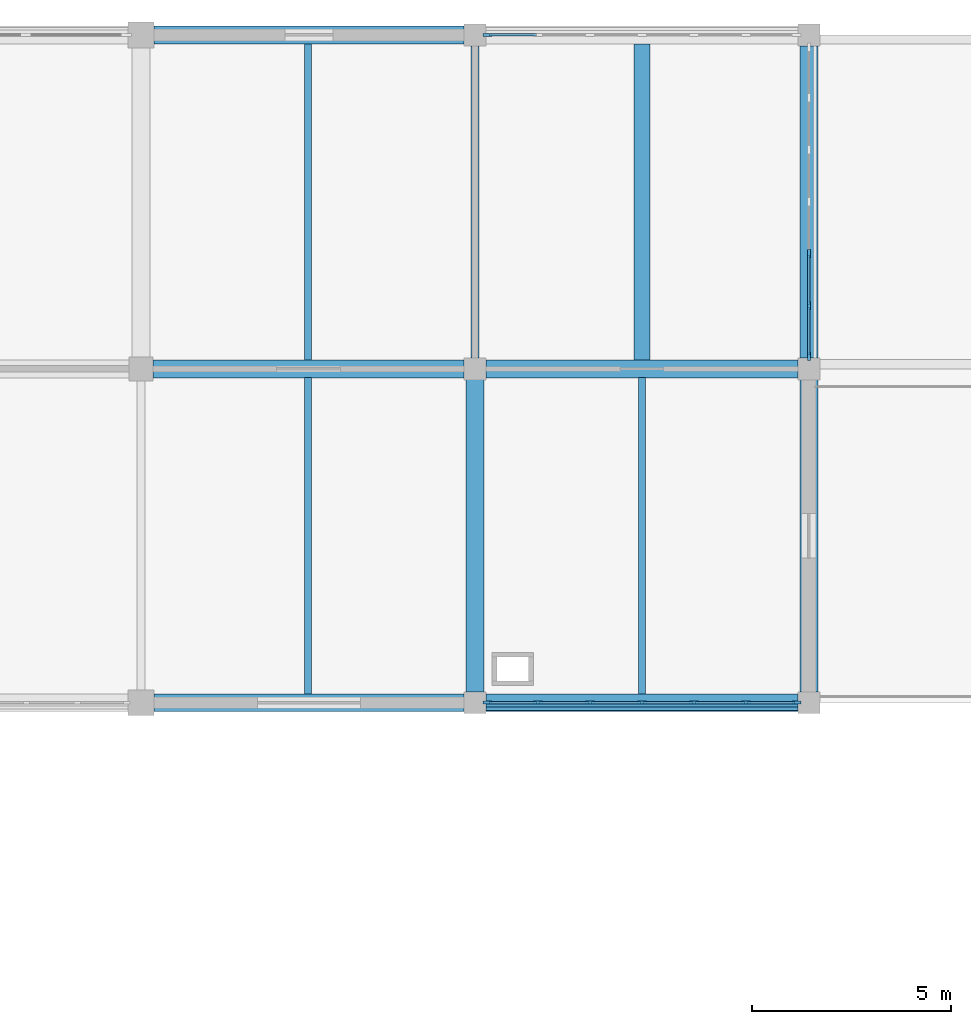
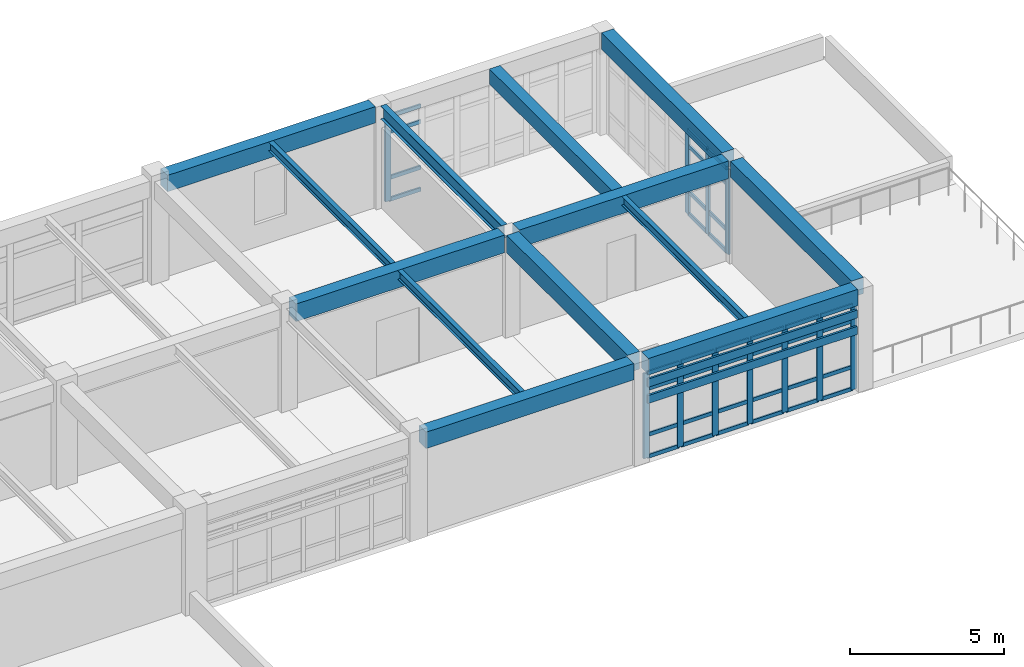
# One storey, part 45 of 74: 49 members, 13 beams, 3 elements without a shape of their own.
"""IFC4 building model written with IfcOpenShell, lengths in metres."""

from ifc_helpers import new_model, si_unit, direction, frame, origin, origin_2d, place, context, subcontext, project, spatial, rectangle, i_section, extrude, material, layer, layer_set, material_profile, profile_set, type_object, element, aggregate, save


model = new_model("IFC4")

# Units and contexts
model_context = context("Model", 3, precision=1e-05, world=origin(), true_north=direction((0.0, 1.0)))
body_context = subcontext(model_context, "Body", "Model", "MODEL_VIEW")
ifc_project = project(units=[si_unit("LENGTHUNIT", "METRE"), si_unit("AREAUNIT", "SQUARE_METRE"), si_unit("VOLUMEUNIT", "CUBIC_METRE"), si_unit("PLANEANGLEUNIT", "RADIAN"), si_unit("MASSUNIT", "GRAM", prefix="KILO")], contexts=[model_context])

# Site, building, storey
site_placement = place(None, origin())
site = spatial("IfcSite", under=ifc_project, at=site_placement, CompositionType="ELEMENT")
building_placement = place(site_placement, origin())
building = spatial("IfcBuilding", under=site, at=building_placement, Name="Porcellanite Civic Hall", CompositionType="ELEMENT")
storey_placement = place(building_placement, frame((0.0, 0.0, 14.760009765625)))
storey = spatial("IfcBuildingStorey", under=building, at=storey_placement, Name="L03", CompositionType="ELEMENT", Elevation=14.760009765625)

# Beams
ifc_material_1 = material(Name="Concrete N50 (50 MPa)", Category="concrete")
ifc_material_profile_1 = material_profile(ifc_material_1, rectangle(XDim=0.39990234375, YDim=0.60009765625, at=origin_2d()), Name="RC-400x600")
ifc_profile_set_1 = profile_set([ifc_material_profile_1], Name="Concrete N50 (50 MPa)")
beam_type_1 = type_object("IfcBeamType", Name="BM-RC600", PredefinedType="JOIST", material=ifc_profile_set_1)
beam_1_placement = place(storey_placement, frame((147.0, 109.424560546875, 3.77001953125), z_axis=(0.0, 1.0, 0.0), x_axis=(-1.0, 0.0, 0.0)))
element("IfcBeam", 1, at=beam_1_placement, inside=storey, type_object=beam_type_1, Name="Secondary joist L03 18-14", PredefinedType="JOIST", context=body_context, shape_type="SweptSolid", body=[
    extrude(rectangle(XDim=0.39990234375, YDim=0.60009765625, at=origin_2d()), origin(), (0.0, 0.0, 1.0), 7.950927734375),
])
ifc_material_2 = material(Name="Concrete N50 (50 MPa)", Category="concrete")
ifc_material_profile_2 = material_profile(ifc_material_2, rectangle(XDim=0.449951171875, YDim=0.64990234375, at=origin_2d()), Name="RC-450x650")
ifc_profile_set_2 = profile_set([ifc_material_profile_2], Name="Concrete N50 (50 MPa)")
beam_type_2 = type_object("IfcBeamType", Name="BM-RC650", PredefinedType="SPANDREL", material=ifc_profile_set_2)
for number, where, z_axis, x_axis, name in (
    (2, (134.724609375, 100.800048828125, 3.744873046875), (1.0, 0.0, 0.0), (0.0, 1.0, 0.0), "Beam X L03 17-13"),
    (3, (134.724609375, 117.60009765625, 3.744873046875), (1.0, 0.0, 0.0), (0.0, 1.0, 0.0), "Beam X L03 17-15"),
):
    element("IfcBeam", number, at=place(storey_placement, frame(where, z_axis=z_axis, x_axis=x_axis)), inside=storey, type_object=beam_type_2, Name=name, PredefinedType="SPANDREL", context=body_context, shape_type="SweptSolid", body=[
        extrude(rectangle(XDim=0.449951171875, YDim=0.64990234375, at=origin_2d()), origin(), (0.0, 0.0, 1.0), 7.80078125),
    ])
for number, where, z_axis, x_axis, name in (
    (4, (143.074462890625, 100.800048828125, 3.744873046875), (1.0, 0.0, 0.0), (0.0, 1.0, 0.0), "Beam X L03 18-13"),
    (5, (151.199951171875, 101.074462890625, 3.744873046875), (0.0, 1.0, 0.0), (-1.0, 0.0, 0.0), "Beam Y L03 19-13"),
):
    element("IfcBeam", number, at=place(storey_placement, frame(where, z_axis=z_axis, x_axis=x_axis)), inside=storey, type_object=beam_type_2, Name=name, PredefinedType="SPANDREL", context=body_context, shape_type="SweptSolid", body=[
        extrude(rectangle(XDim=0.449951171875, YDim=0.64990234375, at=origin_2d()), origin(), (0.0, 0.0, 1.0), 7.85107421875),
    ])
beam_2_placement = place(storey_placement, frame((151.199951171875, 109.474609375, 3.744873046875), z_axis=(0.0, 1.0, 0.0), x_axis=(-1.0, 0.0, 0.0)))
element("IfcBeam", 6, at=beam_2_placement, inside=storey, type_object=beam_type_2, Name="Beam Y L03 19-14", PredefinedType="SPANDREL", context=body_context, shape_type="SweptSolid", body=[
    extrude(rectangle(XDim=0.449951171875, YDim=0.64990234375, at=origin_2d()), origin(), (0.0, 0.0, 1.0), 7.850830078125),
])
ifc_material_3 = material(Name="Concrete N50 (50 MPa)", Category="concrete")
ifc_material_profile_3 = material_profile(ifc_material_3, rectangle(XDim=0.449951171875, YDim=0.699951171875, at=origin_2d()), Name="RC-450x700")
ifc_profile_set_3 = profile_set([ifc_material_profile_3], Name="Concrete N50 (50 MPa)")
beam_type_3 = type_object("IfcBeamType", Name="BM-RC700", PredefinedType="BEAM", material=ifc_profile_set_3)
beam_3_placement = place(storey_placement, frame((134.699462890625, 109.199951171875, 3.719970703125), z_axis=(1.0, 0.0, 0.0), x_axis=(0.0, 1.0, 0.0)))
element("IfcBeam", 7, at=beam_3_placement, inside=storey, type_object=beam_type_3, Name="Beam X L03 17-14", PredefinedType="BEAM", context=body_context, shape_type="SweptSolid", body=[
    extrude(rectangle(XDim=0.449951171875, YDim=0.699951171875, at=origin_2d()), origin(), (0.0, 0.0, 1.0), 7.825927734375),
])
for number, where, z_axis, x_axis, name in (
    (8, (143.074462890625, 109.199951171875, 3.719970703125), (1.0, 0.0, 0.0), (0.0, 1.0, 0.0), "Beam X L03 18-14"),
    (9, (142.800048828125, 101.074462890625, 3.719970703125), (0.0, 1.0, 0.0), (-1.0, 0.0, 0.0), "Beam Y L03 18-13"),
):
    element("IfcBeam", number, at=place(storey_placement, frame(where, z_axis=z_axis, x_axis=x_axis)), inside=storey, type_object=beam_type_3, Name=name, PredefinedType="BEAM", context=body_context, shape_type="SweptSolid", body=[
        extrude(rectangle(XDim=0.449951171875, YDim=0.699951171875, at=origin_2d()), origin(), (0.0, 0.0, 1.0), 7.85107421875),
    ])

# Curtain wall, members
ifc_material_4 = material(Name="Anodised aluminium and solar laminated glass", Category="aluminium")
ifc_layer = layer(ifc_material_4, 0.179931640625)
ifc_layer_set = layer_set([ifc_layer], Name="Anodised aluminium and solar laminated glass")
curtain_wall_type = type_object("IfcCurtainWallType", Name="CW-SYS02", PredefinedType="NOTDEFINED", material=ifc_layer_set)
curtain_wall_1_placement = place(storey_placement, origin())
curtain_wall_1 = element("IfcCurtainWall", 10, at=curtain_wall_1_placement, inside=storey, type_object=curtain_wall_type, Name="Curtain wall CW-224", PredefinedType="NOTDEFINED")
ifc_material_5 = material(Name="Anodised aluminium 6063-T6", Category="aluminium")
ifc_material_profile_4 = material_profile(ifc_material_5, rectangle(XDim=0.074951171875, YDim=0.219970703125, at=origin_2d()), Name="AL-75x220")
ifc_profile_set_4 = profile_set([ifc_material_profile_4], Name="Anodised aluminium 6063-T6")
member_type_1 = type_object("IfcMemberType", Name="CWM-03", PredefinedType="MULLION", material=ifc_profile_set_4)
member_1_placement = place(storey_placement, frame((150.886474609375, 100.800048828125, 0.0), z_axis=(0.0, 0.0, 1.0), x_axis=(0.0, -1.0, 0.0)))
member_1 = element("IfcMember", 11, at=member_1_placement, type_object=member_type_1, Name="CW-224 mullion 1", PredefinedType="MULLION", context=body_context, shape_type="SweptSolid", body=[
    extrude(rectangle(XDim=0.074951171875, YDim=0.219970703125, at=origin_2d()), origin(), (0.0, 0.0, 1.0), 3.369873046875),
])
member_2_placement = place(storey_placement, frame((149.615966796875, 100.800048828125, 0.0), z_axis=(0.0, 0.0, 1.0), x_axis=(0.0, -1.0, 0.0)))
member_2 = element("IfcMember", 12, at=member_2_placement, type_object=member_type_1, Name="CW-224 mullion 2", PredefinedType="MULLION", context=body_context, shape_type="SweptSolid", body=[
    extrude(rectangle(XDim=0.074951171875, YDim=0.219970703125, at=origin_2d()), origin(), (0.0, 0.0, 1.0), 3.369873046875),
])
member_3_placement = place(storey_placement, frame((148.30810546875, 100.800048828125, 0.0), z_axis=(0.0, 0.0, 1.0), x_axis=(0.0, -1.0, 0.0)))
member_3 = element("IfcMember", 13, at=member_3_placement, type_object=member_type_1, Name="CW-224 mullion 3", PredefinedType="MULLION", context=body_context, shape_type="SweptSolid", body=[
    extrude(rectangle(XDim=0.074951171875, YDim=0.219970703125, at=origin_2d()), origin(), (0.0, 0.0, 1.0), 3.369873046875),
])
member_4_placement = place(storey_placement, frame((147.0, 100.800048828125, 0.0), z_axis=(0.0, 0.0, 1.0), x_axis=(0.0, -1.0, 0.0)))
member_4 = element("IfcMember", 14, at=member_4_placement, type_object=member_type_1, Name="CW-224 mullion 4", PredefinedType="MULLION", context=body_context, shape_type="SweptSolid", body=[
    extrude(rectangle(XDim=0.074951171875, YDim=0.219970703125, at=origin_2d()), origin(), (0.0, 0.0, 1.0), 3.369873046875),
])
member_5_placement = place(storey_placement, frame((145.69189453125, 100.800048828125, 0.0), z_axis=(0.0, 0.0, 1.0), x_axis=(0.0, -1.0, 0.0)))
member_5 = element("IfcMember", 15, at=member_5_placement, type_object=member_type_1, Name="CW-224 mullion 5", PredefinedType="MULLION", context=body_context, shape_type="SweptSolid", body=[
    extrude(rectangle(XDim=0.074951171875, YDim=0.219970703125, at=origin_2d()), origin(), (0.0, 0.0, 1.0), 3.369873046875),
])
member_6_placement = place(storey_placement, frame((144.384033203125, 100.800048828125, 0.0), z_axis=(0.0, 0.0, 1.0), x_axis=(0.0, -1.0, 0.0)))
member_6 = element("IfcMember", 16, at=member_6_placement, type_object=member_type_1, Name="CW-224 mullion 6", PredefinedType="MULLION", context=body_context, shape_type="SweptSolid", body=[
    extrude(rectangle(XDim=0.074951171875, YDim=0.219970703125, at=origin_2d()), origin(), (0.0, 0.0, 1.0), 3.369873046875),
])
member_7_placement = place(storey_placement, frame((143.113525390625, 100.800048828125, 0.0), z_axis=(0.0, 0.0, 1.0), x_axis=(0.0, -1.0, 0.0)))
member_7 = element("IfcMember", 17, at=member_7_placement, type_object=member_type_1, Name="CW-224 mullion 7", PredefinedType="MULLION", context=body_context, shape_type="SweptSolid", body=[
    extrude(rectangle(XDim=0.074951171875, YDim=0.219970703125, at=origin_2d()), origin(), (0.0, 0.0, 1.0), 3.369873046875),
])

# Curtain wall, member
curtain_wall_2_placement = place(storey_placement, origin())
curtain_wall_2 = element("IfcCurtainWall", 18, at=curtain_wall_2_placement, inside=storey, type_object=curtain_wall_type, Name="Curtain wall CW-225", PredefinedType="NOTDEFINED")
member_8_placement = place(storey_placement, frame((143.113525390625, 117.60009765625, 0.0), z_axis=(0.0, 0.0, 1.0), x_axis=(0.0, 1.0, 0.0)))
member_8 = element("IfcMember", 19, at=member_8_placement, type_object=member_type_1, Name="CW-225 mullion 1", PredefinedType="MULLION", context=body_context, shape_type="SweptSolid", body=[
    extrude(rectangle(XDim=0.074951171875, YDim=0.219970703125, at=origin_2d()), origin(), (0.0, 0.0, 1.0), 3.369873046875),
])

# Curtain wall, members
curtain_wall_3_placement = place(storey_placement, origin())
curtain_wall_3 = element("IfcCurtainWall", 20, at=curtain_wall_3_placement, inside=storey, type_object=curtain_wall_type, Name="Curtain wall CW-226", PredefinedType="NOTDEFINED")
member_9_placement = place(storey_placement, frame((151.199951171875, 112.092041015625, 0.0), z_axis=(0.0, 0.0, 1.0), x_axis=(1.0, 0.0, 0.0)))
member_9 = element("IfcMember", 21, at=member_9_placement, type_object=member_type_1, Name="CW-226 mullion 5", PredefinedType="MULLION", context=body_context, shape_type="SweptSolid", body=[
    extrude(rectangle(XDim=0.074951171875, YDim=0.219970703125, at=origin_2d()), origin(), (0.0, 0.0, 1.0), 3.369873046875),
])
member_10_placement = place(storey_placement, frame((151.199951171875, 110.783935546875, 0.0), z_axis=(0.0, 0.0, 1.0), x_axis=(1.0, 0.0, 0.0)))
member_10 = element("IfcMember", 22, at=member_10_placement, type_object=member_type_1, Name="CW-226 mullion 6", PredefinedType="MULLION", context=body_context, shape_type="SweptSolid", body=[
    extrude(rectangle(XDim=0.074951171875, YDim=0.219970703125, at=origin_2d()), origin(), (0.0, 0.0, 1.0), 3.369873046875),
])
member_11_placement = place(storey_placement, frame((151.199951171875, 109.513427734375, 0.0), z_axis=(0.0, 0.0, 1.0), x_axis=(1.0, 0.0, 0.0)))
member_11 = element("IfcMember", 23, at=member_11_placement, type_object=member_type_1, Name="CW-226 mullion 7", PredefinedType="MULLION", context=body_context, shape_type="SweptSolid", body=[
    extrude(rectangle(XDim=0.074951171875, YDim=0.219970703125, at=origin_2d()), origin(), (0.0, 0.0, 1.0), 3.369873046875),
])

# Member
ifc_material_6 = material(Name="Anodised aluminium 6063-T6", Category="aluminium")
ifc_material_profile_5 = material_profile(ifc_material_6, rectangle(XDim=0.06494140625, YDim=0.14990234375, at=origin_2d()), Name="AL-65x150")
ifc_profile_set_5 = profile_set([ifc_material_profile_5], Name="Anodised aluminium 6063-T6")
member_type_2 = type_object("IfcMemberType", Name="CWT-02", PredefinedType="USERDEFINED", material=ifc_profile_set_5)
member_12_placement = place(storey_placement, frame((150.84912109375, 100.800048828125, 0.032470703125), z_axis=(-1.0, 0.0, 0.0), x_axis=(0.0, -1.0, 0.0)))
member_12 = element("IfcMember", 24, at=member_12_placement, type_object=member_type_2, Name="CW-224 transom 1.1", ObjectType="TRANSOM", PredefinedType="USERDEFINED", context=body_context, shape_type="SweptSolid", body=[
    extrude(rectangle(XDim=0.06494140625, YDim=0.14990234375, at=origin_2d()), origin(), (0.0, 0.0, 1.0), 1.195556640625),
])

member_13_placement = place(storey_placement, frame((150.84912109375, 100.800048828125, 0.89990234375), z_axis=(-1.0, 0.0, 0.0), x_axis=(0.0, -1.0, 0.0)))
member_13 = element("IfcMember", 25, at=member_13_placement, type_object=member_type_2, Name="CW-224 transom 1.2", ObjectType="TRANSOM", PredefinedType="USERDEFINED", context=body_context, shape_type="SweptSolid", body=[
    extrude(rectangle(XDim=0.06494140625, YDim=0.14990234375, at=origin_2d()), origin(), (0.0, 0.0, 1.0), 1.195556640625),
])

member_14_placement = place(storey_placement, frame((150.84912109375, 100.800048828125, 2.719970703125), z_axis=(-1.0, 0.0, 0.0), x_axis=(0.0, -1.0, 0.0)))
member_14 = element("IfcMember", 26, at=member_14_placement, type_object=member_type_2, Name="CW-224 transom 1.3", ObjectType="TRANSOM", PredefinedType="USERDEFINED", context=body_context, shape_type="SweptSolid", body=[
    extrude(rectangle(XDim=0.06494140625, YDim=0.14990234375, at=origin_2d()), origin(), (0.0, 0.0, 1.0), 1.195556640625),
])

member_15_placement = place(storey_placement, frame((150.84912109375, 100.800048828125, 3.33740234375), z_axis=(-1.0, 0.0, 0.0), x_axis=(0.0, -1.0, 0.0)))
member_15 = element("IfcMember", 27, at=member_15_placement, type_object=member_type_2, Name="CW-224 transom 1.4", ObjectType="TRANSOM", PredefinedType="USERDEFINED", context=body_context, shape_type="SweptSolid", body=[
    extrude(rectangle(XDim=0.06494140625, YDim=0.14990234375, at=origin_2d()), origin(), (0.0, 0.0, 1.0), 1.195556640625),
])

member_16_placement = place(storey_placement, frame((149.57861328125, 100.800048828125, 0.032470703125), z_axis=(-1.0, 0.0, 0.0), x_axis=(0.0, -1.0, 0.0)))
member_16 = element("IfcMember", 28, at=member_16_placement, type_object=member_type_2, Name="CW-224 transom 2.1", ObjectType="TRANSOM", PredefinedType="USERDEFINED", context=body_context, shape_type="SweptSolid", body=[
    extrude(rectangle(XDim=0.06494140625, YDim=0.14990234375, at=origin_2d()), origin(), (0.0, 0.0, 1.0), 1.233154296875),
])

member_17_placement = place(storey_placement, frame((149.57861328125, 100.800048828125, 0.89990234375), z_axis=(-1.0, 0.0, 0.0), x_axis=(0.0, -1.0, 0.0)))
member_17 = element("IfcMember", 29, at=member_17_placement, type_object=member_type_2, Name="CW-224 transom 2.2", ObjectType="TRANSOM", PredefinedType="USERDEFINED", context=body_context, shape_type="SweptSolid", body=[
    extrude(rectangle(XDim=0.06494140625, YDim=0.14990234375, at=origin_2d()), origin(), (0.0, 0.0, 1.0), 1.233154296875),
])

member_18_placement = place(storey_placement, frame((149.57861328125, 100.800048828125, 2.719970703125), z_axis=(-1.0, 0.0, 0.0), x_axis=(0.0, -1.0, 0.0)))
member_18 = element("IfcMember", 30, at=member_18_placement, type_object=member_type_2, Name="CW-224 transom 2.3", ObjectType="TRANSOM", PredefinedType="USERDEFINED", context=body_context, shape_type="SweptSolid", body=[
    extrude(rectangle(XDim=0.06494140625, YDim=0.14990234375, at=origin_2d()), origin(), (0.0, 0.0, 1.0), 1.233154296875),
])

member_19_placement = place(storey_placement, frame((149.57861328125, 100.800048828125, 3.33740234375), z_axis=(-1.0, 0.0, 0.0), x_axis=(0.0, -1.0, 0.0)))
member_19 = element("IfcMember", 31, at=member_19_placement, type_object=member_type_2, Name="CW-224 transom 2.4", ObjectType="TRANSOM", PredefinedType="USERDEFINED", context=body_context, shape_type="SweptSolid", body=[
    extrude(rectangle(XDim=0.06494140625, YDim=0.14990234375, at=origin_2d()), origin(), (0.0, 0.0, 1.0), 1.233154296875),
])

member_20_placement = place(storey_placement, frame((148.2705078125, 100.800048828125, 0.032470703125), z_axis=(-1.0, 0.0, 0.0), x_axis=(0.0, -1.0, 0.0)))
member_20 = element("IfcMember", 32, at=member_20_placement, type_object=member_type_2, Name="CW-224 transom 3.1", ObjectType="TRANSOM", PredefinedType="USERDEFINED", context=body_context, shape_type="SweptSolid", body=[
    extrude(rectangle(XDim=0.06494140625, YDim=0.14990234375, at=origin_2d()), origin(), (0.0, 0.0, 1.0), 1.23291015625),
])

member_21_placement = place(storey_placement, frame((148.2705078125, 100.800048828125, 0.89990234375), z_axis=(-1.0, 0.0, 0.0), x_axis=(0.0, -1.0, 0.0)))
member_21 = element("IfcMember", 33, at=member_21_placement, type_object=member_type_2, Name="CW-224 transom 3.2", ObjectType="TRANSOM", PredefinedType="USERDEFINED", context=body_context, shape_type="SweptSolid", body=[
    extrude(rectangle(XDim=0.06494140625, YDim=0.14990234375, at=origin_2d()), origin(), (0.0, 0.0, 1.0), 1.23291015625),
])

member_22_placement = place(storey_placement, frame((148.2705078125, 100.800048828125, 2.719970703125), z_axis=(-1.0, 0.0, 0.0), x_axis=(0.0, -1.0, 0.0)))
member_22 = element("IfcMember", 34, at=member_22_placement, type_object=member_type_2, Name="CW-224 transom 3.3", ObjectType="TRANSOM", PredefinedType="USERDEFINED", context=body_context, shape_type="SweptSolid", body=[
    extrude(rectangle(XDim=0.06494140625, YDim=0.14990234375, at=origin_2d()), origin(), (0.0, 0.0, 1.0), 1.23291015625),
])

member_23_placement = place(storey_placement, frame((148.2705078125, 100.800048828125, 3.33740234375), z_axis=(-1.0, 0.0, 0.0), x_axis=(0.0, -1.0, 0.0)))
member_23 = element("IfcMember", 35, at=member_23_placement, type_object=member_type_2, Name="CW-224 transom 3.4", ObjectType="TRANSOM", PredefinedType="USERDEFINED", context=body_context, shape_type="SweptSolid", body=[
    extrude(rectangle(XDim=0.06494140625, YDim=0.14990234375, at=origin_2d()), origin(), (0.0, 0.0, 1.0), 1.23291015625),
])

member_24_placement = place(storey_placement, frame((146.96240234375, 100.800048828125, 0.032470703125), z_axis=(-1.0, 0.0, 0.0), x_axis=(0.0, -1.0, 0.0)))
member_24 = element("IfcMember", 36, at=member_24_placement, type_object=member_type_2, Name="CW-224 transom 4.1", ObjectType="TRANSOM", PredefinedType="USERDEFINED", context=body_context, shape_type="SweptSolid", body=[
    extrude(rectangle(XDim=0.06494140625, YDim=0.14990234375, at=origin_2d()), origin(), (0.0, 0.0, 1.0), 1.23291015625),
])

member_25_placement = place(storey_placement, frame((146.96240234375, 100.800048828125, 0.89990234375), z_axis=(-1.0, 0.0, 0.0), x_axis=(0.0, -1.0, 0.0)))
member_25 = element("IfcMember", 37, at=member_25_placement, type_object=member_type_2, Name="CW-224 transom 4.2", ObjectType="TRANSOM", PredefinedType="USERDEFINED", context=body_context, shape_type="SweptSolid", body=[
    extrude(rectangle(XDim=0.06494140625, YDim=0.14990234375, at=origin_2d()), origin(), (0.0, 0.0, 1.0), 1.23291015625),
])

member_26_placement = place(storey_placement, frame((146.96240234375, 100.800048828125, 2.719970703125), z_axis=(-1.0, 0.0, 0.0), x_axis=(0.0, -1.0, 0.0)))
member_26 = element("IfcMember", 38, at=member_26_placement, type_object=member_type_2, Name="CW-224 transom 4.3", ObjectType="TRANSOM", PredefinedType="USERDEFINED", context=body_context, shape_type="SweptSolid", body=[
    extrude(rectangle(XDim=0.06494140625, YDim=0.14990234375, at=origin_2d()), origin(), (0.0, 0.0, 1.0), 1.23291015625),
])

member_27_placement = place(storey_placement, frame((146.96240234375, 100.800048828125, 3.33740234375), z_axis=(-1.0, 0.0, 0.0), x_axis=(0.0, -1.0, 0.0)))
member_27 = element("IfcMember", 39, at=member_27_placement, type_object=member_type_2, Name="CW-224 transom 4.4", ObjectType="TRANSOM", PredefinedType="USERDEFINED", context=body_context, shape_type="SweptSolid", body=[
    extrude(rectangle(XDim=0.06494140625, YDim=0.14990234375, at=origin_2d()), origin(), (0.0, 0.0, 1.0), 1.23291015625),
])

member_28_placement = place(storey_placement, frame((145.654541015625, 100.800048828125, 0.032470703125), z_axis=(-1.0, 0.0, 0.0), x_axis=(0.0, -1.0, 0.0)))
member_28 = element("IfcMember", 40, at=member_28_placement, type_object=member_type_2, Name="CW-224 transom 5.1", ObjectType="TRANSOM", PredefinedType="USERDEFINED", context=body_context, shape_type="SweptSolid", body=[
    extrude(rectangle(XDim=0.06494140625, YDim=0.14990234375, at=origin_2d()), origin(), (0.0, 0.0, 1.0), 1.233154296875),
])

member_29_placement = place(storey_placement, frame((145.654541015625, 100.800048828125, 0.89990234375), z_axis=(-1.0, 0.0, 0.0), x_axis=(0.0, -1.0, 0.0)))
member_29 = element("IfcMember", 41, at=member_29_placement, type_object=member_type_2, Name="CW-224 transom 5.2", ObjectType="TRANSOM", PredefinedType="USERDEFINED", context=body_context, shape_type="SweptSolid", body=[
    extrude(rectangle(XDim=0.06494140625, YDim=0.14990234375, at=origin_2d()), origin(), (0.0, 0.0, 1.0), 1.233154296875),
])

member_30_placement = place(storey_placement, frame((145.654541015625, 100.800048828125, 2.719970703125), z_axis=(-1.0, 0.0, 0.0), x_axis=(0.0, -1.0, 0.0)))
member_30 = element("IfcMember", 42, at=member_30_placement, type_object=member_type_2, Name="CW-224 transom 5.3", ObjectType="TRANSOM", PredefinedType="USERDEFINED", context=body_context, shape_type="SweptSolid", body=[
    extrude(rectangle(XDim=0.06494140625, YDim=0.14990234375, at=origin_2d()), origin(), (0.0, 0.0, 1.0), 1.233154296875),
])

member_31_placement = place(storey_placement, frame((145.654541015625, 100.800048828125, 3.33740234375), z_axis=(-1.0, 0.0, 0.0), x_axis=(0.0, -1.0, 0.0)))
member_31 = element("IfcMember", 43, at=member_31_placement, type_object=member_type_2, Name="CW-224 transom 5.4", ObjectType="TRANSOM", PredefinedType="USERDEFINED", context=body_context, shape_type="SweptSolid", body=[
    extrude(rectangle(XDim=0.06494140625, YDim=0.14990234375, at=origin_2d()), origin(), (0.0, 0.0, 1.0), 1.233154296875),
])

member_32_placement = place(storey_placement, frame((144.346435546875, 100.800048828125, 0.032470703125), z_axis=(-1.0, 0.0, 0.0), x_axis=(0.0, -1.0, 0.0)))
member_32 = element("IfcMember", 44, at=member_32_placement, type_object=member_type_2, Name="CW-224 transom 6.1", ObjectType="TRANSOM", PredefinedType="USERDEFINED", context=body_context, shape_type="SweptSolid", body=[
    extrude(rectangle(XDim=0.06494140625, YDim=0.14990234375, at=origin_2d()), origin(), (0.0, 0.0, 1.0), 1.195556640625),
])

member_33_placement = place(storey_placement, frame((144.346435546875, 100.800048828125, 0.89990234375), z_axis=(-1.0, 0.0, 0.0), x_axis=(0.0, -1.0, 0.0)))
member_33 = element("IfcMember", 45, at=member_33_placement, type_object=member_type_2, Name="CW-224 transom 6.2", ObjectType="TRANSOM", PredefinedType="USERDEFINED", context=body_context, shape_type="SweptSolid", body=[
    extrude(rectangle(XDim=0.06494140625, YDim=0.14990234375, at=origin_2d()), origin(), (0.0, 0.0, 1.0), 1.195556640625),
])

member_34_placement = place(storey_placement, frame((144.346435546875, 100.800048828125, 2.719970703125), z_axis=(-1.0, 0.0, 0.0), x_axis=(0.0, -1.0, 0.0)))
member_34 = element("IfcMember", 46, at=member_34_placement, type_object=member_type_2, Name="CW-224 transom 6.3", ObjectType="TRANSOM", PredefinedType="USERDEFINED", context=body_context, shape_type="SweptSolid", body=[
    extrude(rectangle(XDim=0.06494140625, YDim=0.14990234375, at=origin_2d()), origin(), (0.0, 0.0, 1.0), 1.195556640625),
])

member_35_placement = place(storey_placement, frame((144.346435546875, 100.800048828125, 3.33740234375), z_axis=(-1.0, 0.0, 0.0), x_axis=(0.0, -1.0, 0.0)))
member_35 = element("IfcMember", 47, at=member_35_placement, type_object=member_type_2, Name="CW-224 transom 6.4", ObjectType="TRANSOM", PredefinedType="USERDEFINED", context=body_context, shape_type="SweptSolid", body=[
    extrude(rectangle(XDim=0.06494140625, YDim=0.14990234375, at=origin_2d()), origin(), (0.0, 0.0, 1.0), 1.195556640625),
])

aggregate(curtain_wall_1, [member_1, member_2, member_3, member_4, member_5, member_6, member_7, member_12, member_13, member_14, member_15, member_16, member_17, member_18, member_19, member_20, member_21, member_22, member_23, member_24, member_25, member_26, member_27, member_28, member_29, member_30, member_31, member_32, member_33, member_34, member_35])

member_36_placement = place(storey_placement, frame((143.15087890625, 117.60009765625, 0.032470703125), z_axis=(1.0, 0.0, 0.0), x_axis=(0.0, 1.0, 0.0)))
member_36 = element("IfcMember", 48, at=member_36_placement, type_object=member_type_2, Name="CW-225 transom 1.1", ObjectType="TRANSOM", PredefinedType="USERDEFINED", context=body_context, shape_type="SweptSolid", body=[
    extrude(rectangle(XDim=0.06494140625, YDim=0.14990234375, at=origin_2d()), origin(), (0.0, 0.0, 1.0), 1.195556640625),
])

member_37_placement = place(storey_placement, frame((143.15087890625, 117.60009765625, 0.89990234375), z_axis=(1.0, 0.0, 0.0), x_axis=(0.0, 1.0, 0.0)))
member_37 = element("IfcMember", 49, at=member_37_placement, type_object=member_type_2, Name="CW-225 transom 1.2", ObjectType="TRANSOM", PredefinedType="USERDEFINED", context=body_context, shape_type="SweptSolid", body=[
    extrude(rectangle(XDim=0.06494140625, YDim=0.14990234375, at=origin_2d()), origin(), (0.0, 0.0, 1.0), 1.195556640625),
])

member_38_placement = place(storey_placement, frame((143.15087890625, 117.60009765625, 2.719970703125), z_axis=(1.0, 0.0, 0.0), x_axis=(0.0, 1.0, 0.0)))
member_38 = element("IfcMember", 50, at=member_38_placement, type_object=member_type_2, Name="CW-225 transom 1.3", ObjectType="TRANSOM", PredefinedType="USERDEFINED", context=body_context, shape_type="SweptSolid", body=[
    extrude(rectangle(XDim=0.06494140625, YDim=0.14990234375, at=origin_2d()), origin(), (0.0, 0.0, 1.0), 1.195556640625),
])

member_39_placement = place(storey_placement, frame((143.15087890625, 117.60009765625, 3.33740234375), z_axis=(1.0, 0.0, 0.0), x_axis=(0.0, 1.0, 0.0)))
member_39 = element("IfcMember", 51, at=member_39_placement, type_object=member_type_2, Name="CW-225 transom 1.4", ObjectType="TRANSOM", PredefinedType="USERDEFINED", context=body_context, shape_type="SweptSolid", body=[
    extrude(rectangle(XDim=0.06494140625, YDim=0.14990234375, at=origin_2d()), origin(), (0.0, 0.0, 1.0), 1.195556640625),
])

aggregate(curtain_wall_2, [member_8, member_36, member_37, member_38, member_39])

member_40_placement = place(storey_placement, frame((151.199951171875, 112.054443359375, 0.032470703125), z_axis=(0.0, -1.0, 0.0), x_axis=(1.0, 0.0, 0.0)))
member_40 = element("IfcMember", 52, at=member_40_placement, type_object=member_type_2, Name="CW-226 transom 5.1", ObjectType="TRANSOM", PredefinedType="USERDEFINED", context=body_context, shape_type="SweptSolid", body=[
    extrude(rectangle(XDim=0.06494140625, YDim=0.14990234375, at=origin_2d()), origin(), (0.0, 0.0, 1.0), 1.23291015625),
])

member_41_placement = place(storey_placement, frame((151.199951171875, 112.054443359375, 0.89990234375), z_axis=(0.0, -1.0, 0.0), x_axis=(1.0, 0.0, 0.0)))
member_41 = element("IfcMember", 53, at=member_41_placement, type_object=member_type_2, Name="CW-226 transom 5.2", ObjectType="TRANSOM", PredefinedType="USERDEFINED", context=body_context, shape_type="SweptSolid", body=[
    extrude(rectangle(XDim=0.06494140625, YDim=0.14990234375, at=origin_2d()), origin(), (0.0, 0.0, 1.0), 1.23291015625),
])

member_42_placement = place(storey_placement, frame((151.199951171875, 112.054443359375, 2.719970703125), z_axis=(0.0, -1.0, 0.0), x_axis=(1.0, 0.0, 0.0)))
member_42 = element("IfcMember", 54, at=member_42_placement, type_object=member_type_2, Name="CW-226 transom 5.3", ObjectType="TRANSOM", PredefinedType="USERDEFINED", context=body_context, shape_type="SweptSolid", body=[
    extrude(rectangle(XDim=0.06494140625, YDim=0.14990234375, at=origin_2d()), origin(), (0.0, 0.0, 1.0), 1.23291015625),
])

member_43_placement = place(storey_placement, frame((151.199951171875, 112.054443359375, 3.33740234375), z_axis=(0.0, -1.0, 0.0), x_axis=(1.0, 0.0, 0.0)))
member_43 = element("IfcMember", 55, at=member_43_placement, type_object=member_type_2, Name="CW-226 transom 5.4", ObjectType="TRANSOM", PredefinedType="USERDEFINED", context=body_context, shape_type="SweptSolid", body=[
    extrude(rectangle(XDim=0.06494140625, YDim=0.14990234375, at=origin_2d()), origin(), (0.0, 0.0, 1.0), 1.23291015625),
])

member_44_placement = place(storey_placement, frame((151.199951171875, 110.74658203125, 0.032470703125), z_axis=(0.0, -1.0, 0.0), x_axis=(1.0, 0.0, 0.0)))
member_44 = element("IfcMember", 56, at=member_44_placement, type_object=member_type_2, Name="CW-226 transom 6.1", ObjectType="TRANSOM", PredefinedType="USERDEFINED", context=body_context, shape_type="SweptSolid", body=[
    extrude(rectangle(XDim=0.06494140625, YDim=0.14990234375, at=origin_2d()), origin(), (0.0, 0.0, 1.0), 1.195556640625),
])

member_45_placement = place(storey_placement, frame((151.199951171875, 110.74658203125, 0.89990234375), z_axis=(0.0, -1.0, 0.0), x_axis=(1.0, 0.0, 0.0)))
member_45 = element("IfcMember", 57, at=member_45_placement, type_object=member_type_2, Name="CW-226 transom 6.2", ObjectType="TRANSOM", PredefinedType="USERDEFINED", context=body_context, shape_type="SweptSolid", body=[
    extrude(rectangle(XDim=0.06494140625, YDim=0.14990234375, at=origin_2d()), origin(), (0.0, 0.0, 1.0), 1.195556640625),
])

member_46_placement = place(storey_placement, frame((151.199951171875, 110.74658203125, 2.719970703125), z_axis=(0.0, -1.0, 0.0), x_axis=(1.0, 0.0, 0.0)))
member_46 = element("IfcMember", 58, at=member_46_placement, type_object=member_type_2, Name="CW-226 transom 6.3", ObjectType="TRANSOM", PredefinedType="USERDEFINED", context=body_context, shape_type="SweptSolid", body=[
    extrude(rectangle(XDim=0.06494140625, YDim=0.14990234375, at=origin_2d()), origin(), (0.0, 0.0, 1.0), 1.195556640625),
])

member_47_placement = place(storey_placement, frame((151.199951171875, 110.74658203125, 3.33740234375), z_axis=(0.0, -1.0, 0.0), x_axis=(1.0, 0.0, 0.0)))
member_47 = element("IfcMember", 59, at=member_47_placement, type_object=member_type_2, Name="CW-226 transom 6.4", ObjectType="TRANSOM", PredefinedType="USERDEFINED", context=body_context, shape_type="SweptSolid", body=[
    extrude(rectangle(XDim=0.06494140625, YDim=0.14990234375, at=origin_2d()), origin(), (0.0, 0.0, 1.0), 1.195556640625),
])

aggregate(curtain_wall_3, [member_9, member_10, member_11, member_40, member_41, member_42, member_43, member_44, member_45, member_46, member_47])

# Beams
ifc_material_7 = material(Name="Steel Grade 350", Category="steel")
ifc_material_profile_6 = material_profile(ifc_material_7, i_section(OverallWidth=0.1708984375, OverallDepth=0.35595703125, WebThickness=0.00732421875, FlangeThickness=0.011474609375, FilletRadius=0.011474609375, at=origin_2d()), Name="360UB50.7")
ifc_profile_set_6 = profile_set([ifc_material_profile_6], Name="Steel Grade 350")
beam_type_4 = type_object("IfcBeamType", Name="JST-360UB51", PredefinedType="JOIST", material=ifc_profile_set_6)
beam_4_placement = place(storey_placement, frame((138.60009765625, 109.424560546875, 3.89208984375), z_axis=(0.0, 1.0, 0.0), x_axis=(-1.0, 0.0, 0.0)))
element("IfcBeam", 60, at=beam_4_placement, inside=storey, type_object=beam_type_4, Name="Secondary joist L03 17-14", PredefinedType="JOIST", context=body_context, shape_type="SweptSolid", body=[
    extrude(i_section(OverallWidth=0.1708984375, OverallDepth=0.35595703125, WebThickness=0.00732421875, FlangeThickness=0.011474609375, FilletRadius=0.011474609375, at=origin_2d()), origin(), (0.0, 0.0, 1.0), 7.950927734375),
])
beam_5_placement = place(storey_placement, frame((147.0, 101.0244140625, 3.89208984375), z_axis=(0.0, 1.0, 0.0), x_axis=(-1.0, 0.0, 0.0)))
element("IfcBeam", 61, at=beam_5_placement, inside=storey, type_object=beam_type_4, Name="Secondary joist L03 18-13", PredefinedType="JOIST", context=body_context, shape_type="SweptSolid", body=[
    extrude(i_section(OverallWidth=0.1708984375, OverallDepth=0.35595703125, WebThickness=0.00732421875, FlangeThickness=0.011474609375, FilletRadius=0.011474609375, at=origin_2d()), origin(), (0.0, 0.0, 1.0), 7.951171875),
])
ifc_material_8 = material(Name="Steel Grade 350", Category="steel")
ifc_material_profile_7 = material_profile(ifc_material_8, i_section(OverallWidth=0.172119140625, OverallDepth=0.35888671875, WebThickness=0.008056640625, FlangeThickness=0.012939453125, FilletRadius=0.011474609375, at=origin_2d()), Name="360UB56.7")
ifc_profile_set_7 = profile_set([ifc_material_profile_7], Name="Steel Grade 350")
beam_type_5 = type_object("IfcBeamType", Name="JST-360UB57", PredefinedType="JOIST", material=ifc_profile_set_7)
beam_6_placement = place(storey_placement, frame((138.60009765625, 101.0244140625, 3.890380859375), z_axis=(0.0, 1.0, 0.0), x_axis=(-1.0, 0.0, 0.0)))
element("IfcBeam", 62, at=beam_6_placement, inside=storey, type_object=beam_type_5, Name="Secondary joist L03 17-13", PredefinedType="JOIST", context=body_context, shape_type="SweptSolid", body=[
    extrude(i_section(OverallWidth=0.172119140625, OverallDepth=0.35888671875, WebThickness=0.008056640625, FlangeThickness=0.012939453125, FilletRadius=0.011474609375, at=origin_2d()), origin(), (0.0, 0.0, 1.0), 7.951171875),
])

# Members
ifc_material_9 = material(Name="Fluoropolymer bauxite-red aluminium 6063-T6", Category="aluminium")
ifc_material_profile_8 = material_profile(ifc_material_9, rectangle(XDim=0.080078125, YDim=0.320068359375, at=origin_2d()), Name="AL-80x320")
ifc_profile_set_8 = profile_set([ifc_material_profile_8], Name="Fluoropolymer bauxite-red aluminium 6063-T6")
member_type_3 = type_object("IfcMemberType", Name="LV-BLD03", PredefinedType="USERDEFINED", material=ifc_profile_set_8)
for number, where, z_axis, x_axis, name in (
    (63, (150.925537109375, 100.64794921875, 3.070068359375), (-1.0, 0.0, 0.0), (0.0, -1.0, 0.0), "Cyclone sunshade louvre L03 S 17-12 1"),
    (64, (150.925537109375, 100.64794921875, 2.419921875), (-1.0, 0.0, 0.0), (0.0, -1.0, 0.0), "Cyclone sunshade louvre L03 S 17-12 2"),
):
    element("IfcMember", number, at=place(storey_placement, frame(where, z_axis=z_axis, x_axis=x_axis)), inside=storey, type_object=member_type_3, Name=name, ObjectType="LOUVRE BLADE", PredefinedType="USERDEFINED", context=body_context, shape_type="SweptSolid", body=[
        extrude(rectangle(XDim=0.080078125, YDim=0.320068359375, at=origin_2d()), origin(), (0.0, 0.0, 1.0), 7.85107421875),
    ])

# Beam
ifc_material_10 = material(Name="Steel Grade 350", Category="steel")
ifc_material_profile_9 = material_profile(ifc_material_10, i_section(OverallWidth=0.208984375, OverallDepth=0.528076171875, WebThickness=0.009521484375, FlangeThickness=0.01318359375, FilletRadius=0.013916015625, at=origin_2d()), Name="530UB82.0")
ifc_profile_set_9 = profile_set([ifc_material_profile_9], Name="Steel Grade 350")
beam_type_6 = type_object("IfcBeamType", Name="RAF-530UB82", PredefinedType="BEAM", material=ifc_profile_set_9)
beam_7_placement = place(storey_placement, frame((142.800048828125, 109.474609375, 3.805908203125), z_axis=(0.0, 1.0, 0.0), x_axis=(-1.0, 0.0, 0.0)))
element("IfcBeam", 65, at=beam_7_placement, inside=storey, type_object=beam_type_6, Name="Beam Y L03 18-14", PredefinedType="BEAM", context=body_context, shape_type="SweptSolid", body=[
    extrude(i_section(OverallWidth=0.208984375, OverallDepth=0.528076171875, WebThickness=0.009521484375, FlangeThickness=0.01318359375, FilletRadius=0.013916015625, at=origin_2d()), origin(), (0.0, 0.0, 1.0), 7.850830078125),
])

save(model, "model.ifc")
